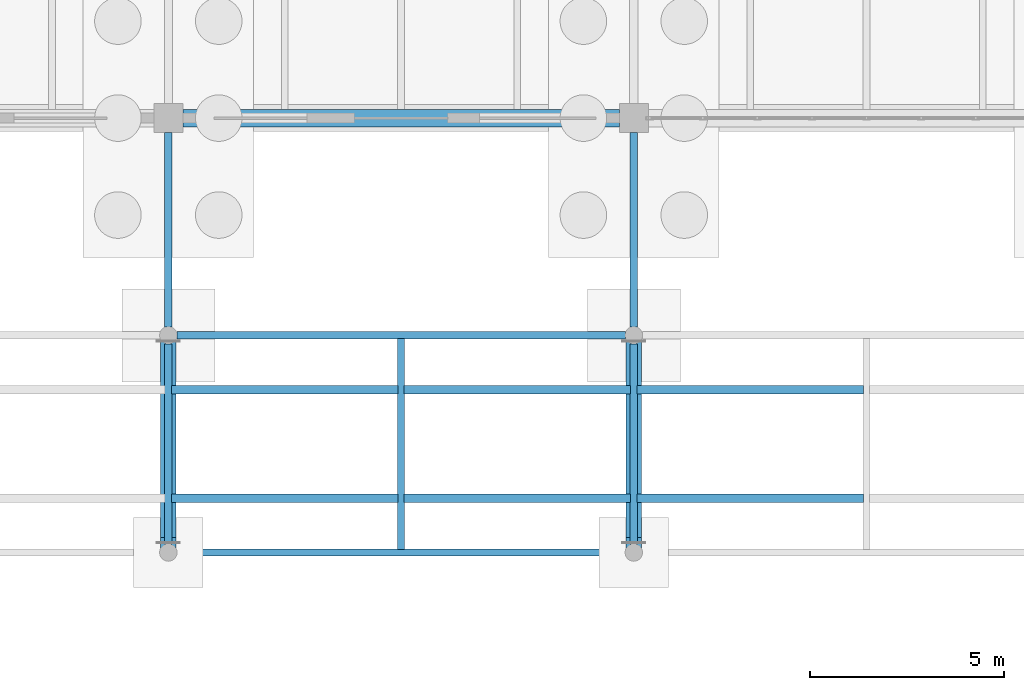
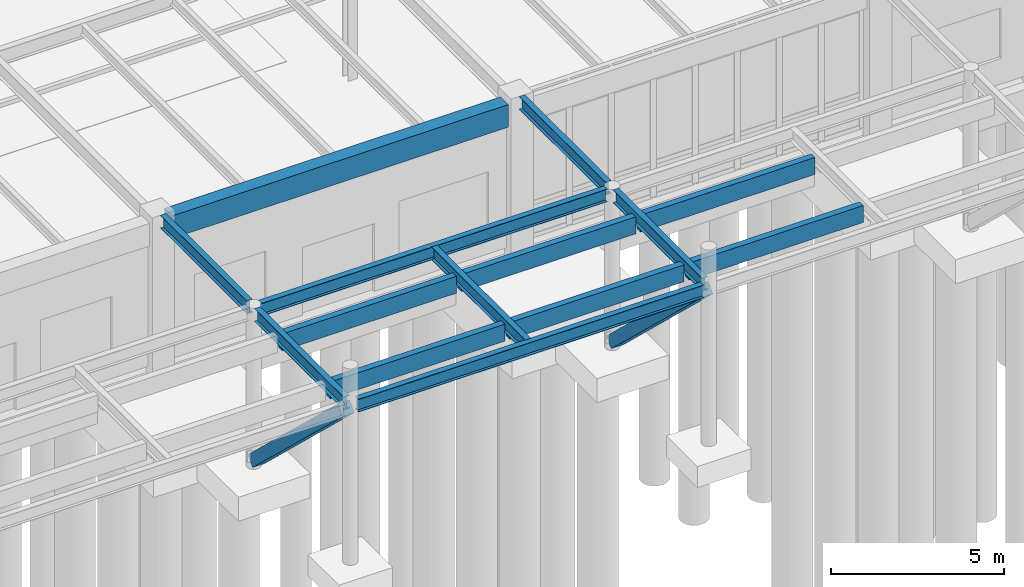
# One storey, part 59 of 188: 8 beams, 8 members.
"""IFC4 building model written with IfcOpenShell, lengths in metres."""

from ifc_helpers import new_model, si_unit, direction, frame, origin, origin_2d, place, context, subcontext, project, spatial, rectangle, i_section, extrude, material, material_profile, profile_set, type_object, element, save


model = new_model("IFC4")

# Units and contexts
model_context = context("Model", 3, precision=1e-05, world=origin(), true_north=direction((0.0, 1.0)))
body_context = subcontext(model_context, "Body", "Model", "MODEL_VIEW")
ifc_project = project(units=[si_unit("LENGTHUNIT", "METRE"), si_unit("AREAUNIT", "SQUARE_METRE"), si_unit("VOLUMEUNIT", "CUBIC_METRE"), si_unit("PLANEANGLEUNIT", "RADIAN"), si_unit("MASSUNIT", "GRAM", prefix="KILO")], contexts=[model_context])

# Site, building, storey
site_placement = place(None, origin())
site = spatial("IfcSite", under=ifc_project, at=site_placement, CompositionType="ELEMENT")
building_placement = place(site_placement, origin())
building = spatial("IfcBuilding", under=site, at=building_placement, Name="Pandanus Reach Market Hall", CompositionType="ELEMENT")
storey_placement = place(building_placement, origin())
storey = spatial("IfcBuildingStorey", under=building, at=storey_placement, Name="L00", CompositionType="ELEMENT", Elevation=0.0)

# Beams
ifc_material_1 = material(Name="Concrete N40 (40 MPa)", Category="concrete")
ifc_material_profile_1 = material_profile(ifc_material_1, rectangle(XDim=0.449951171875, YDim=0.800048828125, at=origin_2d()), Name="RC450x800", Category="LoadBearing")
ifc_profile_set_1 = profile_set([ifc_material_profile_1], Name="Concrete N40 (40 MPa)")
beam_type_1 = type_object("IfcBeamType", Name="BM-RC450-E", PredefinedType="SPANDREL", material=ifc_profile_set_1)
beam_1_placement = place(storey_placement, frame((96.373046875, 28.800048828125, 4.719970703125), z_axis=(1.0, 0.0, 0.0), x_axis=(0.0, 1.0, 0.0)))
element("IfcBeam", 1, at=beam_1_placement, inside=storey, type_object=beam_type_1, Name="Framing beam BM-RC450-E L00.1042", PredefinedType="SPANDREL", context=body_context, shape_type="SweptSolid", body=[
    extrude(rectangle(XDim=0.449951171875, YDim=0.800048828125, at=origin_2d()), origin(), (0.0, 0.0, 1.0), 11.25390625),
])
ifc_material_2 = material(Name="Steel Grade 350 (350 MPa)", Category="steel")
ifc_material_profile_2 = material_profile(ifc_material_2, i_section(OverallWidth=0.18994140625, OverallDepth=0.45703125, WebThickness=0.009033203125, FlangeThickness=0.014404296875, at=origin_2d()), Name="460UB74.6", Category="LoadBearing")
ifc_profile_set_2 = profile_set([ifc_material_profile_2], Name="Steel Grade 350 (350 MPa)")
beam_type_2 = type_object("IfcBeamType", Name="BM-UB460-E", PredefinedType="BEAM", material=ifc_profile_set_2)
beam_2_placement = place(storey_placement, frame((96.0, 17.820068359375, 5.169921875), z_axis=(0.0, 1.0, 0.0), x_axis=(-1.0, 0.0, 0.0)))
element("IfcBeam", 2, at=beam_2_placement, inside=storey, type_object=beam_type_2, Name="Forecourt canopy beam C4A", PredefinedType="BEAM", context=body_context, shape_type="SweptSolid", body=[
    extrude(i_section(OverallWidth=0.18994140625, OverallDepth=0.45703125, WebThickness=0.009033203125, FlangeThickness=0.014404296875, at=origin_2d()), origin(), (0.0, 0.0, 1.0), 5.159912109375),
])
beam_3_placement = place(storey_placement, frame((96.0, 23.419921875, 5.169921875), z_axis=(0.0, 1.0, 0.0), x_axis=(-1.0, 0.0, 0.0)))
element("IfcBeam", 3, at=beam_3_placement, inside=storey, type_object=beam_type_2, Name="Forecourt canopy tie beam C4B", PredefinedType="BEAM", context=body_context, shape_type="SweptSolid", body=[
    extrude(i_section(OverallWidth=0.18994140625, OverallDepth=0.45703125, WebThickness=0.009033203125, FlangeThickness=0.014404296875, at=origin_2d()), origin(), (0.0, 0.0, 1.0), 5.010009765625),
])
beam_4_placement = place(storey_placement, frame((108.0, 17.820068359375, 5.169921875), z_axis=(0.0, 1.0, 0.0), x_axis=(-1.0, 0.0, 0.0)))
element("IfcBeam", 4, at=beam_4_placement, inside=storey, type_object=beam_type_2, Name="Forecourt canopy beam C5A", PredefinedType="BEAM", context=body_context, shape_type="SweptSolid", body=[
    extrude(i_section(OverallWidth=0.18994140625, OverallDepth=0.45703125, WebThickness=0.009033203125, FlangeThickness=0.014404296875, at=origin_2d()), origin(), (0.0, 0.0, 1.0), 5.159912109375),
])
beam_5_placement = place(storey_placement, frame((108.0, 23.419921875, 5.169921875), z_axis=(0.0, 1.0, 0.0), x_axis=(-1.0, 0.0, 0.0)))
element("IfcBeam", 5, at=beam_5_placement, inside=storey, type_object=beam_type_2, Name="Forecourt canopy tie beam C5B", PredefinedType="BEAM", context=body_context, shape_type="SweptSolid", body=[
    extrude(i_section(OverallWidth=0.18994140625, OverallDepth=0.45703125, WebThickness=0.009033203125, FlangeThickness=0.014404296875, at=origin_2d()), origin(), (0.0, 0.0, 1.0), 5.010009765625),
])
for number, where, z_axis, x_axis, name in (
    (6, (96.219970703125, 17.60009765625, 5.169921875), (1.0, 0.0, 0.0), (0.0, 1.0, 0.0), "Forecourt canopy front girder C4"),
    (7, (96.219970703125, 23.199951171875, 5.169921875), (1.0, 0.0, 0.0), (0.0, 1.0, 0.0), "Forecourt canopy spine girder C4"),
):
    element("IfcBeam", number, at=place(storey_placement, frame(where, z_axis=z_axis, x_axis=x_axis)), inside=storey, type_object=beam_type_2, Name=name, PredefinedType="BEAM", context=body_context, shape_type="SweptSolid", body=[
        extrude(i_section(OverallWidth=0.18994140625, OverallDepth=0.45703125, WebThickness=0.009033203125, FlangeThickness=0.014404296875, at=origin_2d()), origin(), (0.0, 0.0, 1.0), 11.56005859375),
    ])
beam_6_placement = place(storey_placement, frame((102.0, 17.679931640625, 5.169921875), z_axis=(0.0, 1.0, 0.0), x_axis=(-1.0, 0.0, 0.0)))
element("IfcBeam", 8, at=beam_6_placement, inside=storey, type_object=beam_type_2, Name="Forecourt canopy valley girder C4", PredefinedType="BEAM", context=body_context, shape_type="SweptSolid", body=[
    extrude(i_section(OverallWidth=0.18994140625, OverallDepth=0.45703125, WebThickness=0.009033203125, FlangeThickness=0.014404296875, at=origin_2d()), origin(), (0.0, 0.0, 1.0), 5.440185546875),
])

# Members
ifc_material_3 = material(Name="Glulam timber GL17", Category="wood")
ifc_material_profile_3 = material_profile(ifc_material_3, rectangle(XDim=0.215087890625, YDim=0.60009765625, at=origin_2d()), Name="GL215x600", Category="LoadBearing")
ifc_profile_set_3 = profile_set([ifc_material_profile_3], Name="Glulam timber GL17")
member_type_1 = type_object("IfcMemberType", Name="PR-GL215-E", PredefinedType="PURLIN", material=ifc_profile_set_3)
for number, where, z_axis, x_axis, name in (
    (9, (96.080078125, 19.0, 4.919921875), (1.0, 0.0, 0.0), (0.0, 1.0, 0.0), "Canopy glulam purlin C4W"),
    (10, (102.080078125, 19.0, 4.919921875), (1.0, 0.0, 0.0), (0.0, 1.0, 0.0), "Canopy glulam purlin C4E"),
    (11, (96.080078125, 21.800048828125, 4.919921875), (1.0, 0.0, 0.0), (0.0, 1.0, 0.0), "Canopy glulam purlin C4W"),
    (12, (102.080078125, 21.800048828125, 4.919921875), (1.0, 0.0, 0.0), (0.0, 1.0, 0.0), "Canopy glulam purlin C4E"),
    (13, (108.080078125, 19.0, 4.919921875), (1.0, 0.0, 0.0), (0.0, 1.0, 0.0), "Canopy glulam purlin C5W"),
    (14, (108.080078125, 21.800048828125, 4.919921875), (1.0, 0.0, 0.0), (0.0, 1.0, 0.0), "Canopy glulam purlin C5W"),
):
    element("IfcMember", number, at=place(storey_placement, frame(where, z_axis=z_axis, x_axis=x_axis)), inside=storey, type_object=member_type_1, Name=name, PredefinedType="PURLIN", context=body_context, shape_type="SweptSolid", body=[
        extrude(rectangle(XDim=0.215087890625, YDim=0.60009765625, at=origin_2d()), origin(), (0.0, 0.0, 1.0), 5.83984375),
    ])
ifc_material_4 = material(Name="Concrete N50 (50 MPa)", Category="concrete")
ifc_material_profile_4 = material_profile(ifc_material_4, rectangle(XDim=0.39990234375, YDim=0.39990234375, at=origin_2d()), Name="RC400x400", Category="LoadBearing")
ifc_profile_set_4 = profile_set([ifc_material_profile_4], Name="Concrete N50 (50 MPa)")
member_type_2 = type_object("IfcMemberType", Name="VS-RC400-E", PredefinedType="STRUT", material=ifc_profile_set_4)
for number, where, z_axis, x_axis, name in (
    (15, (96.0, 23.050048828125, 0.0), (0.0, -0.724303696682, 0.689481076587), (1.0, 0.0, 0.0), "Forecourt canopy splayed V-strut C4"),
    (16, (108.0, 23.050048828125, 0.0), (0.0, -0.724303696682, 0.689481076587), (1.0, 0.0, 0.0), "Forecourt canopy splayed V-strut C5"),
):
    element("IfcMember", number, at=place(storey_placement, frame(where, z_axis=z_axis, x_axis=x_axis)), inside=storey, type_object=member_type_2, Name=name, PredefinedType="STRUT", context=body_context, shape_type="SweptSolid", body=[
        extrude(rectangle(XDim=0.39990234375, YDim=0.39990234375, at=origin_2d()), origin(), (0.0, 0.0, 1.0), 7.17919921875),
    ])

save(model, "model.ifc")
